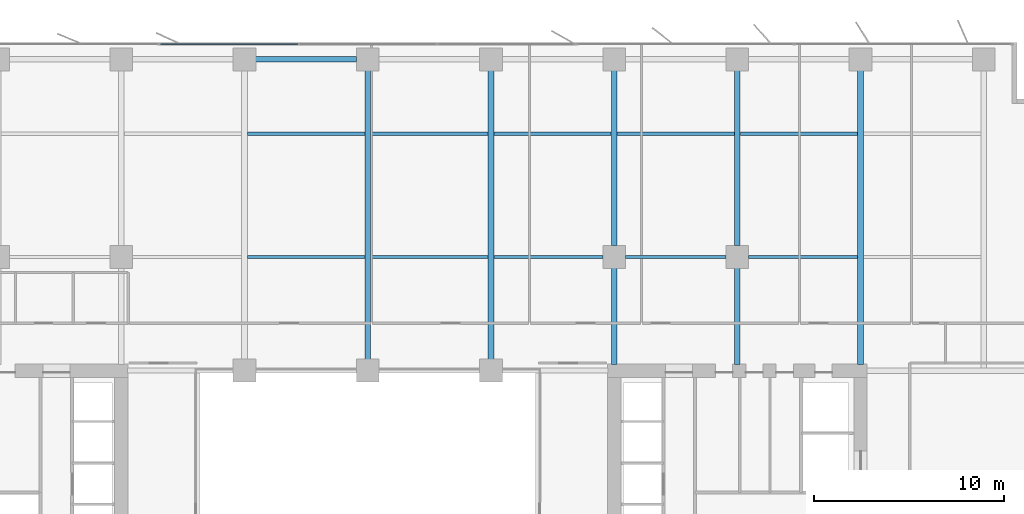
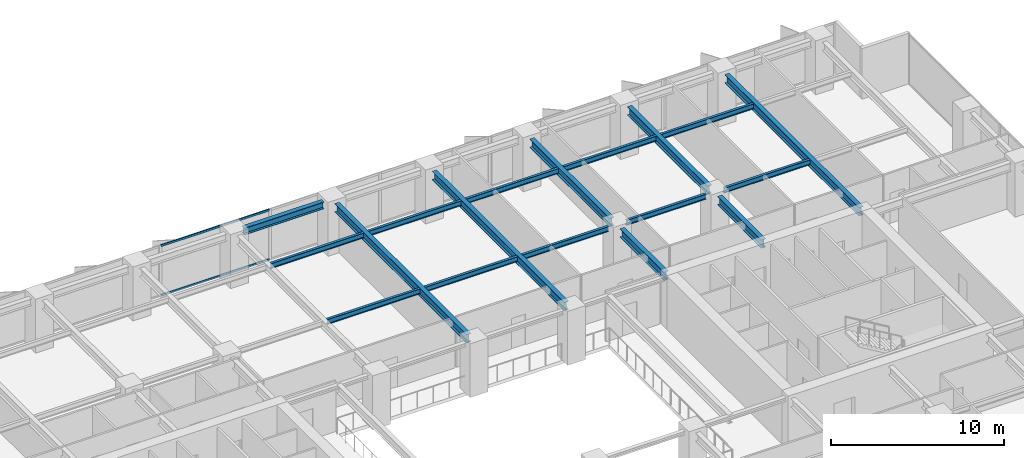
# One storey, part 8 of 20: 18 beams, 2 members, 1 element without a shape of its own.
"""IFC4 building model written with IfcOpenShell, lengths in metres."""

from ifc_helpers import new_model, si_unit, direction, frame, origin, origin_2d, place, context, subcontext, project, spatial, rectangle, i_section, extrude, material, layer, layer_set, material_profile, profile_set, type_object, element, aggregate, save


model = new_model("IFC4")

# Units and contexts
model_context = context("Model", 3, precision=1e-05, world=origin(), true_north=direction((0.0, 1.0)))
body_context = subcontext(model_context, "Body", "Model", "MODEL_VIEW")
ifc_project = project(units=[si_unit("LENGTHUNIT", "METRE"), si_unit("AREAUNIT", "SQUARE_METRE"), si_unit("VOLUMEUNIT", "CUBIC_METRE"), si_unit("PLANEANGLEUNIT", "RADIAN"), si_unit("MASSUNIT", "GRAM", prefix="KILO")], contexts=[model_context])

# Site, building, storey
site_placement = place(None, origin())
site = spatial("IfcSite", under=ifc_project, at=site_placement, CompositionType="ELEMENT")
building_placement = place(site_placement, origin())
building = spatial("IfcBuilding", under=site, at=building_placement, Name="Putna Gate Headquarters", CompositionType="ELEMENT")
storey_placement = place(building_placement, frame((0.0, 0.0, 112.60009765625)))
storey = spatial("IfcBuildingStorey", under=building, at=storey_placement, Name="L27", CompositionType="ELEMENT", Elevation=112.60009765625)

# Beams
ifc_material_1 = material(Name="Steel S355J2", Category="steel")
ifc_material_profile_1 = material_profile(ifc_material_1, i_section(OverallWidth=0.300048828125, OverallDepth=0.60009765625, WebThickness=0.015380859375, FlangeThickness=0.030029296875, at=origin_2d()), Name="Steel S355J2")
ifc_profile_set_1 = profile_set([ifc_material_profile_1], Name="Steel S355J2")
beam_type_1 = type_object("IfcBeamType", Name="BM-GIRD-Z2-HEB600", PredefinedType="USERDEFINED", material=ifc_profile_set_1)
for number, where, z_axis, x_axis, name in (
    (1, (39.0, 33.587890625, 3.264892578125), (0.0, 1.0, 0.0), (-1.0, 0.0, 0.0), "L27 North Primary Girder X39"),
    (2, (45.5, 33.587890625, 3.264892578125), (0.0, 1.0, 0.0), (-1.0, 0.0, 0.0), "L27 North Primary Girder X45"),
):
    element("IfcBeam", number, at=place(storey_placement, frame(where, z_axis=z_axis, x_axis=x_axis)), inside=storey, type_object=beam_type_1, Name=name, ObjectType="GIRDER", PredefinedType="USERDEFINED", context=body_context, shape_type="SweptSolid", body=[
        extrude(i_section(OverallWidth=0.300048828125, OverallDepth=0.60009765625, WebThickness=0.015380859375, FlangeThickness=0.030029296875, at=origin_2d()), origin(), (0.0, 0.0, 1.0), 15.244140625),
    ])
beam_1_placement = place(storey_placement, frame((52.0, 33.3349609375, 3.264892578125), z_axis=(0.0, 1.0, 0.0), x_axis=(-1.0, 0.0, 0.0)))
element("IfcBeam", 3, at=beam_1_placement, inside=storey, type_object=beam_type_1, Name="L27 North Primary Girder X52-1", ObjectType="GIRDER", PredefinedType="USERDEFINED", context=body_context, shape_type="SweptSolid", body=[
    extrude(i_section(OverallWidth=0.300048828125, OverallDepth=0.60009765625, WebThickness=0.015380859375, FlangeThickness=0.030029296875, at=origin_2d()), origin(), (0.0, 0.0, 1.0), 5.0771484375),
])
beam_2_placement = place(storey_placement, frame((52.0, 39.587890625, 3.264892578125), z_axis=(0.0, 1.0, 0.0), x_axis=(-1.0, 0.0, 0.0)))
element("IfcBeam", 4, at=beam_2_placement, inside=storey, type_object=beam_type_1, Name="L27 North Primary Girder X52-2", ObjectType="GIRDER", PredefinedType="USERDEFINED", context=body_context, shape_type="SweptSolid", body=[
    extrude(i_section(OverallWidth=0.300048828125, OverallDepth=0.60009765625, WebThickness=0.015380859375, FlangeThickness=0.030029296875, at=origin_2d()), origin(), (0.0, 0.0, 1.0), 9.244140625),
])
beam_3_placement = place(storey_placement, frame((58.5, 33.3349609375, 3.264892578125), z_axis=(0.0, 1.0, 0.0), x_axis=(-1.0, 0.0, 0.0)))
element("IfcBeam", 5, at=beam_3_placement, inside=storey, type_object=beam_type_1, Name="L27 North Primary Girder X58-1", ObjectType="GIRDER", PredefinedType="USERDEFINED", context=body_context, shape_type="SweptSolid", body=[
    extrude(i_section(OverallWidth=0.300048828125, OverallDepth=0.60009765625, WebThickness=0.015380859375, FlangeThickness=0.030029296875, at=origin_2d()), origin(), (0.0, 0.0, 1.0), 5.0771484375),
])
beam_4_placement = place(storey_placement, frame((58.5, 39.587890625, 3.264892578125), z_axis=(0.0, 1.0, 0.0), x_axis=(-1.0, 0.0, 0.0)))
element("IfcBeam", 6, at=beam_4_placement, inside=storey, type_object=beam_type_1, Name="L27 North Primary Girder X58-2", ObjectType="GIRDER", PredefinedType="USERDEFINED", context=body_context, shape_type="SweptSolid", body=[
    extrude(i_section(OverallWidth=0.300048828125, OverallDepth=0.60009765625, WebThickness=0.015380859375, FlangeThickness=0.030029296875, at=origin_2d()), origin(), (0.0, 0.0, 1.0), 9.244140625),
])
beam_5_placement = place(storey_placement, frame((65.0, 33.3349609375, 3.264892578125), z_axis=(0.0, 1.0, 0.0), x_axis=(-1.0, 0.0, 0.0)))
element("IfcBeam", 7, at=beam_5_placement, inside=storey, type_object=beam_type_1, Name="L27 North Primary Girder X65", ObjectType="GIRDER", PredefinedType="USERDEFINED", context=body_context, shape_type="SweptSolid", body=[
    extrude(i_section(OverallWidth=0.300048828125, OverallDepth=0.60009765625, WebThickness=0.015380859375, FlangeThickness=0.030029296875, at=origin_2d()), origin(), (0.0, 0.0, 1.0), 15.4970703125),
])
ifc_material_profile_2 = material_profile(ifc_material_1, i_section(OverallWidth=0.169921875, OverallDepth=0.360107421875, WebThickness=0.008056640625, FlangeThickness=0.0126953125, at=origin_2d()), Name="Steel S355J2")
ifc_profile_set_2 = profile_set([ifc_material_profile_2], Name="Steel S355J2")
beam_type_2 = type_object("IfcBeamType", Name="BM-SEC-Z2-IPE360", PredefinedType="BEAM", material=ifc_profile_set_2)
for number, where, z_axis, x_axis, name in (
    (8, (32.654052734375, 39.0, 3.385009765625), (1.0, 0.0, 0.0), (0.0, 1.0, 0.0), "L27 North Secondary Beam 5"),
    (9, (32.654052734375, 45.5, 3.385009765625), (1.0, 0.0, 0.0), (0.0, 1.0, 0.0), "L27 North Secondary Beam 5"),
    (10, (39.154052734375, 39.0, 3.385009765625), (1.0, 0.0, 0.0), (0.0, 1.0, 0.0), "L27 North Secondary Beam 6"),
    (11, (39.154052734375, 45.5, 3.385009765625), (1.0, 0.0, 0.0), (0.0, 1.0, 0.0), "L27 North Secondary Beam 6"),
):
    element("IfcBeam", number, at=place(storey_placement, frame(where, z_axis=z_axis, x_axis=x_axis)), inside=storey, type_object=beam_type_2, Name=name, PredefinedType="BEAM", context=body_context, shape_type="SweptSolid", body=[
        extrude(i_section(OverallWidth=0.169921875, OverallDepth=0.360107421875, WebThickness=0.008056640625, FlangeThickness=0.0126953125, at=origin_2d()), origin(), (0.0, 0.0, 1.0), 6.19189453125),
    ])
beam_6_placement = place(storey_placement, frame((45.654052734375, 39.0, 3.385009765625), z_axis=(1.0, 0.0, 0.0), x_axis=(0.0, 1.0, 0.0)))
element("IfcBeam", 12, at=beam_6_placement, inside=storey, type_object=beam_type_2, Name="L27 North Secondary Beam 7", PredefinedType="BEAM", context=body_context, shape_type="SweptSolid", body=[
    extrude(i_section(OverallWidth=0.169921875, OverallDepth=0.360107421875, WebThickness=0.008056640625, FlangeThickness=0.0126953125, at=origin_2d()), origin(), (0.0, 0.0, 1.0), 5.758056640625),
])
beam_7_placement = place(storey_placement, frame((45.654052734375, 45.5, 3.385009765625), z_axis=(1.0, 0.0, 0.0), x_axis=(0.0, 1.0, 0.0)))
element("IfcBeam", 13, at=beam_7_placement, inside=storey, type_object=beam_type_2, Name="L27 North Secondary Beam 7", PredefinedType="BEAM", context=body_context, shape_type="SweptSolid", body=[
    extrude(i_section(OverallWidth=0.169921875, OverallDepth=0.360107421875, WebThickness=0.008056640625, FlangeThickness=0.0126953125, at=origin_2d()), origin(), (0.0, 0.0, 1.0), 6.19189453125),
])
beam_8_placement = place(storey_placement, frame((52.587890625, 39.0, 3.385009765625), z_axis=(1.0, 0.0, 0.0), x_axis=(0.0, 1.0, 0.0)))
element("IfcBeam", 14, at=beam_8_placement, inside=storey, type_object=beam_type_2, Name="L27 North Secondary Beam 8", PredefinedType="BEAM", context=body_context, shape_type="SweptSolid", body=[
    extrude(i_section(OverallWidth=0.169921875, OverallDepth=0.360107421875, WebThickness=0.008056640625, FlangeThickness=0.0126953125, at=origin_2d()), origin(), (0.0, 0.0, 1.0), 5.32421875),
])
beam_9_placement = place(storey_placement, frame((52.154052734375, 45.5, 3.385009765625), z_axis=(1.0, 0.0, 0.0), x_axis=(0.0, 1.0, 0.0)))
element("IfcBeam", 15, at=beam_9_placement, inside=storey, type_object=beam_type_2, Name="L27 North Secondary Beam 8", PredefinedType="BEAM", context=body_context, shape_type="SweptSolid", body=[
    extrude(i_section(OverallWidth=0.169921875, OverallDepth=0.360107421875, WebThickness=0.008056640625, FlangeThickness=0.0126953125, at=origin_2d()), origin(), (0.0, 0.0, 1.0), 6.19189453125),
])
beam_10_placement = place(storey_placement, frame((59.087890625, 39.0, 3.385009765625), z_axis=(1.0, 0.0, 0.0), x_axis=(0.0, 1.0, 0.0)))
element("IfcBeam", 16, at=beam_10_placement, inside=storey, type_object=beam_type_2, Name="L27 North Secondary Beam 9", PredefinedType="BEAM", context=body_context, shape_type="SweptSolid", body=[
    extrude(i_section(OverallWidth=0.169921875, OverallDepth=0.360107421875, WebThickness=0.008056640625, FlangeThickness=0.0126953125, at=origin_2d()), origin(), (0.0, 0.0, 1.0), 5.758056640625),
])
beam_11_placement = place(storey_placement, frame((58.654052734375, 45.5, 3.385009765625), z_axis=(1.0, 0.0, 0.0), x_axis=(0.0, 1.0, 0.0)))
element("IfcBeam", 17, at=beam_11_placement, inside=storey, type_object=beam_type_2, Name="L27 North Secondary Beam 9", PredefinedType="BEAM", context=body_context, shape_type="SweptSolid", body=[
    extrude(i_section(OverallWidth=0.169921875, OverallDepth=0.360107421875, WebThickness=0.008056640625, FlangeThickness=0.0126953125, at=origin_2d()), origin(), (0.0, 0.0, 1.0), 6.19189453125),
])
ifc_material_profile_3 = material_profile(ifc_material_1, i_section(OverallWidth=0.300048828125, OverallDepth=0.489990234375, WebThickness=0.011962890625, FlangeThickness=0.02294921875, at=origin_2d()), Name="Steel S355J2")
ifc_profile_set_3 = profile_set([ifc_material_profile_3], Name="Steel S355J2")
beam_type_3 = type_object("IfcBeamType", Name="BM-SPAN-Z2-HEA500", PredefinedType="SPANDREL", material=ifc_profile_set_3)
beam_12_placement = place(storey_placement, frame((33.087890625, 49.419921875, 3.31982421875), z_axis=(1.0, 0.0, 0.0), x_axis=(0.0, 1.0, 0.0)))
element("IfcBeam", 18, at=beam_12_placement, inside=storey, type_object=beam_type_3, Name="L27 N Perimeter Spandrel 5", PredefinedType="SPANDREL", context=body_context, shape_type="SweptSolid", body=[
    extrude(i_section(OverallWidth=0.300048828125, OverallDepth=0.489990234375, WebThickness=0.011962890625, FlangeThickness=0.02294921875, at=origin_2d()), origin(), (0.0, 0.0, 1.0), 5.32421875),
])

# Curtain wall, members
ifc_material_2 = material(Name="Anodised bronze aluminium curtain wall", Category="aluminium")
ifc_layer = layer(ifc_material_2, 0.179931640625)
ifc_layer_set = layer_set([ifc_layer], Name="Anodised bronze aluminium curtain wall")
curtain_wall_type = type_object("IfcCurtainWallType", Name="CW-SYS-ATR", PredefinedType="USERDEFINED", material=ifc_layer_set)
curtain_wall_placement = place(storey_placement, origin())
curtain_wall = element("IfcCurtainWall", 19, at=curtain_wall_placement, inside=storey, type_object=curtain_wall_type, Name="L27 North Atrium Clear Glazing", ObjectType="ATRIUM GLAZING", PredefinedType="USERDEFINED")
ifc_material_3 = material(Name="Anodised bronze aluminium EN AW-6060", Category="aluminium")
ifc_material_profile_4 = material_profile(ifc_material_3, rectangle(XDim=0.070068359375, YDim=0.139892578125, at=origin_2d()), Name="Anodised bronze aluminium EN AW-6060")
ifc_profile_set_4 = profile_set([ifc_material_profile_4], Name="Anodised bronze aluminium EN AW-6060")
member_type = type_object("IfcMemberType", Name="TRAN-CWT-AT", PredefinedType="USERDEFINED", material=ifc_profile_set_4)
member_1_placement = place(storey_placement, frame((28.070068359375, 50.219970703125, 0.034912109375), z_axis=(1.0, 0.0, 0.0), x_axis=(0.0, 1.0, 0.0)))
member_1 = element("IfcMember", 20, at=member_1_placement, type_object=member_type, Name="CWS-AT transom 1.1", ObjectType="TRANSOM", PredefinedType="USERDEFINED", context=body_context, shape_type="SweptSolid", body=[
    extrude(rectangle(XDim=0.070068359375, YDim=0.139892578125, at=origin_2d()), origin(), (0.0, 0.0, 1.0), 7.228271484375),
])
member_2_placement = place(storey_placement, frame((28.070068359375, 50.219970703125, 3.52978515625), z_axis=(1.0, 0.0, 0.0), x_axis=(0.0, 1.0, 0.0)))
member_2 = element("IfcMember", 21, at=member_2_placement, type_object=member_type, Name="CWS-AT transom 1.2", ObjectType="TRANSOM", PredefinedType="USERDEFINED", context=body_context, shape_type="SweptSolid", body=[
    extrude(rectangle(XDim=0.070068359375, YDim=0.139892578125, at=origin_2d()), origin(), (0.0, 0.0, 1.0), 7.228271484375),
])
aggregate(curtain_wall, [member_1, member_2])

save(model, "model.ifc")
